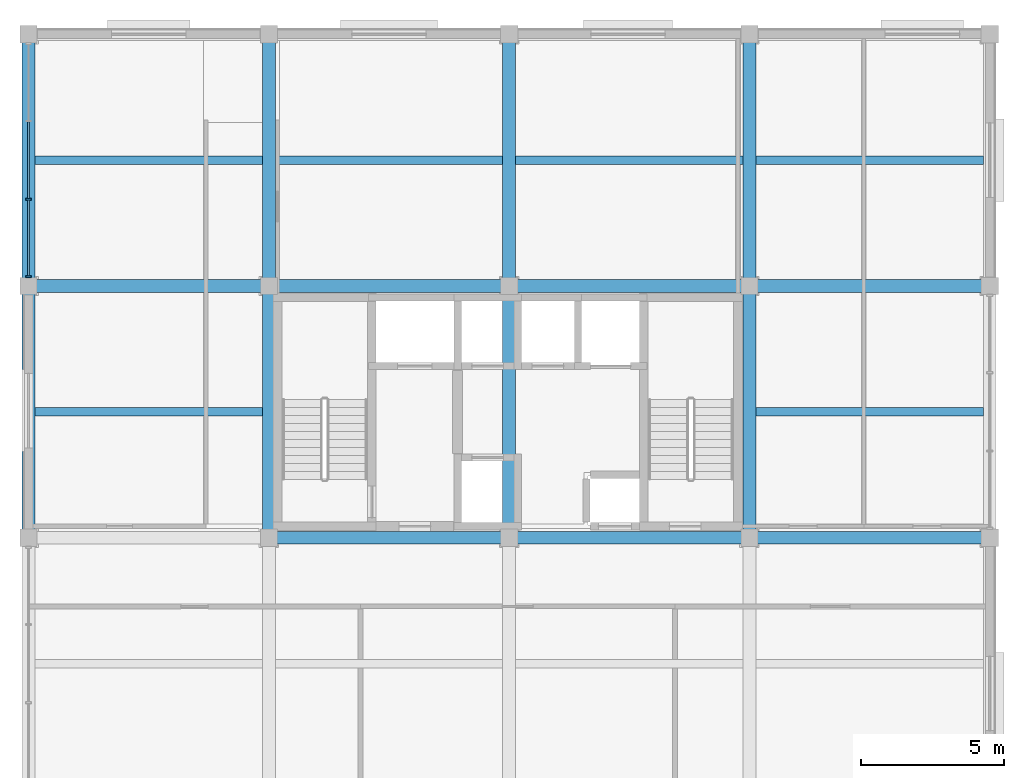
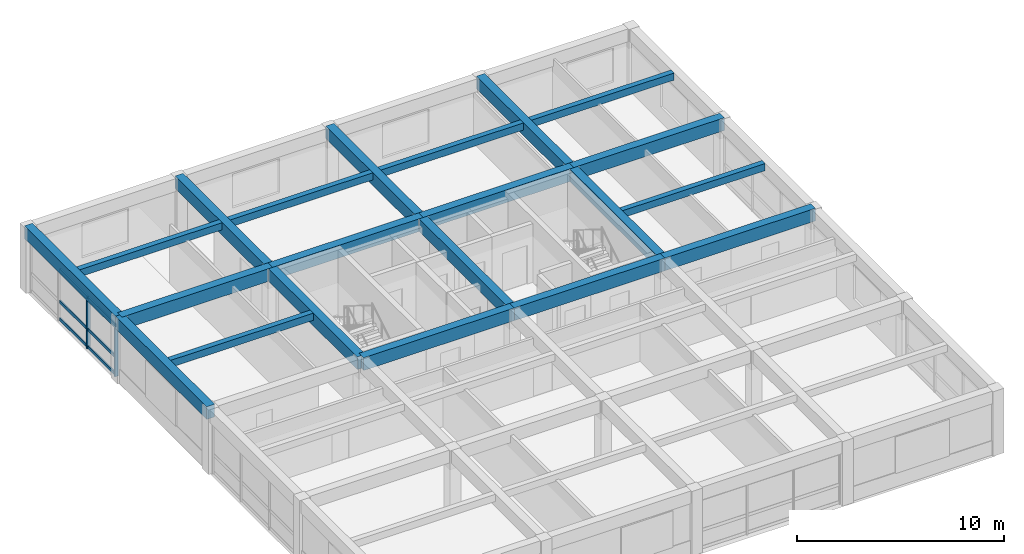
# One storey, part 3 of 12: 21 beams, 8 members, 1 element without a shape of its own.
"""IFC4 building model written with IfcOpenShell, lengths in metres."""

from ifc_helpers import new_model, si_unit, direction, frame, origin, origin_2d, place, context, subcontext, project, spatial, rectangle, extrude, material, material_profile, profile_set, type_object, element, aggregate, save


model = new_model("IFC4")

# Units and contexts
model_context = context("Model", 3, precision=1e-05, world=origin(), true_north=direction((0.0, 1.0)))
body_context = subcontext(model_context, "Body", "Model", "MODEL_VIEW")
ifc_project = project(units=[si_unit("LENGTHUNIT", "METRE"), si_unit("AREAUNIT", "SQUARE_METRE"), si_unit("VOLUMEUNIT", "CUBIC_METRE"), si_unit("PLANEANGLEUNIT", "RADIAN"), si_unit("MASSUNIT", "GRAM", prefix="KILO")], contexts=[model_context])

# Site, building, storey
site_placement = place(None, origin())
site = spatial("IfcSite", under=ifc_project, at=site_placement, CompositionType="ELEMENT")
building_placement = place(site_placement, origin())
building = spatial("IfcBuilding", under=site, at=building_placement, Name="Kemercrest Conservatory and Botanical Centre", CompositionType="ELEMENT")
storey_placement = place(building_placement, frame((0.0, 0.0, 56.0)))
storey = spatial("IfcBuildingStorey", under=building, at=storey_placement, Name="L14", CompositionType="ELEMENT", Elevation=56.0)

# Beams
ifc_material_1 = material(Name="Concrete C40/50", Category="concrete")
ifc_material_profile_1 = material_profile(ifc_material_1, rectangle(XDim=0.449951171875, YDim=0.75, at=origin_2d()), Name="RC 450x750")
ifc_profile_set_1 = profile_set([ifc_material_profile_1], Name="Concrete C40/50")
beam_type_1 = type_object("IfcBeamType", Name="BM-RC75", PredefinedType="BEAM", material=ifc_profile_set_1)
beam_1_placement = place(storey_placement, frame((150.800048828125, 104.800048828125, 3.425048828125), z_axis=(1.0, 0.0, 0.0), x_axis=(0.0, 1.0, 0.0)))
element("IfcBeam", 1, at=beam_1_placement, inside=storey, type_object=beam_type_1, Name="V4-L15 beam BM-RC75 M/18-19", PredefinedType="BEAM", context=body_context, shape_type="SweptSolid", body=[
    extrude(rectangle(XDim=0.449951171875, YDim=0.75, at=origin_2d()), origin(), (0.0, 0.0, 1.0), 8.39990234375),
])
beam_2_placement = place(storey_placement, frame((159.199951171875, 104.800048828125, 3.425048828125), z_axis=(1.0, 0.0, 0.0), x_axis=(0.0, 1.0, 0.0)))
element("IfcBeam", 2, at=beam_2_placement, inside=storey, type_object=beam_type_1, Name="V4-L15 beam BM-RC75 M/19-20", PredefinedType="BEAM", context=body_context, shape_type="SweptSolid", body=[
    extrude(rectangle(XDim=0.449951171875, YDim=0.75, at=origin_2d()), origin(), (0.0, 0.0, 1.0), 8.400146484375),
])
beam_3_placement = place(storey_placement, frame((167.60009765625, 104.800048828125, 3.425048828125), z_axis=(1.0, 0.0, 0.0), x_axis=(0.0, 1.0, 0.0)))
element("IfcBeam", 3, at=beam_3_placement, inside=storey, type_object=beam_type_1, Name="V4-L15 beam BM-RC75 M/20-21", PredefinedType="BEAM", context=body_context, shape_type="SweptSolid", body=[
    extrude(rectangle(XDim=0.449951171875, YDim=0.75, at=origin_2d()), origin(), (0.0, 0.0, 1.0), 8.39990234375),
])
beam_4_placement = place(storey_placement, frame((142.39990234375, 113.60009765625, 3.425048828125), z_axis=(1.0, 0.0, 0.0), x_axis=(0.0, 1.0, 0.0)))
element("IfcBeam", 4, at=beam_4_placement, inside=storey, type_object=beam_type_1, Name="V4-L15 beam BM-RC75 N/17-18", PredefinedType="BEAM", context=body_context, shape_type="SweptSolid", body=[
    extrude(rectangle(XDim=0.449951171875, YDim=0.75, at=origin_2d()), origin(), (0.0, 0.0, 1.0), 8.400146484375),
])
beam_5_placement = place(storey_placement, frame((150.800048828125, 113.60009765625, 3.425048828125), z_axis=(1.0, 0.0, 0.0), x_axis=(0.0, 1.0, 0.0)))
element("IfcBeam", 5, at=beam_5_placement, inside=storey, type_object=beam_type_1, Name="V4-L15 beam BM-RC75 N/18-19", PredefinedType="BEAM", context=body_context, shape_type="SweptSolid", body=[
    extrude(rectangle(XDim=0.449951171875, YDim=0.75, at=origin_2d()), origin(), (0.0, 0.0, 1.0), 8.39990234375),
])
beam_6_placement = place(storey_placement, frame((159.199951171875, 113.60009765625, 3.425048828125), z_axis=(1.0, 0.0, 0.0), x_axis=(0.0, 1.0, 0.0)))
element("IfcBeam", 6, at=beam_6_placement, inside=storey, type_object=beam_type_1, Name="V4-L15 beam BM-RC75 N/19-20", PredefinedType="BEAM", context=body_context, shape_type="SweptSolid", body=[
    extrude(rectangle(XDim=0.449951171875, YDim=0.75, at=origin_2d()), origin(), (0.0, 0.0, 1.0), 8.400146484375),
])
beam_7_placement = place(storey_placement, frame((167.60009765625, 113.60009765625, 3.425048828125), z_axis=(1.0, 0.0, 0.0), x_axis=(0.0, 1.0, 0.0)))
element("IfcBeam", 7, at=beam_7_placement, inside=storey, type_object=beam_type_1, Name="V4-L15 beam BM-RC75 N/20-21", PredefinedType="BEAM", context=body_context, shape_type="SweptSolid", body=[
    extrude(rectangle(XDim=0.449951171875, YDim=0.75, at=origin_2d()), origin(), (0.0, 0.0, 1.0), 8.39990234375),
])
beam_8_placement = place(storey_placement, frame((150.800048828125, 104.800048828125, 3.425048828125), z_axis=(0.0, 1.0, 0.0), x_axis=(-1.0, 0.0, 0.0)))
element("IfcBeam", 8, at=beam_8_placement, inside=storey, type_object=beam_type_1, Name="V4-L15 beam BM-RC75 18/M-N", PredefinedType="BEAM", context=body_context, shape_type="SweptSolid", body=[
    extrude(rectangle(XDim=0.449951171875, YDim=0.75, at=origin_2d()), origin(), (0.0, 0.0, 1.0), 8.800048828125),
])
beam_9_placement = place(storey_placement, frame((150.800048828125, 113.60009765625, 3.425048828125), z_axis=(0.0, 1.0, 0.0), x_axis=(-1.0, 0.0, 0.0)))
element("IfcBeam", 9, at=beam_9_placement, inside=storey, type_object=beam_type_1, Name="V4-L15 beam BM-RC75 18/N-P", PredefinedType="BEAM", context=body_context, shape_type="SweptSolid", body=[
    extrude(rectangle(XDim=0.449951171875, YDim=0.75, at=origin_2d()), origin(), (0.0, 0.0, 1.0), 8.7998046875),
])
beam_10_placement = place(storey_placement, frame((159.199951171875, 104.800048828125, 3.425048828125), z_axis=(0.0, 1.0, 0.0), x_axis=(-1.0, 0.0, 0.0)))
element("IfcBeam", 10, at=beam_10_placement, inside=storey, type_object=beam_type_1, Name="V4-L15 beam BM-RC75 19/M-N", PredefinedType="BEAM", context=body_context, shape_type="SweptSolid", body=[
    extrude(rectangle(XDim=0.449951171875, YDim=0.75, at=origin_2d()), origin(), (0.0, 0.0, 1.0), 8.800048828125),
])
beam_11_placement = place(storey_placement, frame((159.199951171875, 113.60009765625, 3.425048828125), z_axis=(0.0, 1.0, 0.0), x_axis=(-1.0, 0.0, 0.0)))
element("IfcBeam", 11, at=beam_11_placement, inside=storey, type_object=beam_type_1, Name="V4-L15 beam BM-RC75 19/N-P", PredefinedType="BEAM", context=body_context, shape_type="SweptSolid", body=[
    extrude(rectangle(XDim=0.449951171875, YDim=0.75, at=origin_2d()), origin(), (0.0, 0.0, 1.0), 8.7998046875),
])
beam_12_placement = place(storey_placement, frame((167.60009765625, 104.800048828125, 3.425048828125), z_axis=(0.0, 1.0, 0.0), x_axis=(-1.0, 0.0, 0.0)))
element("IfcBeam", 12, at=beam_12_placement, inside=storey, type_object=beam_type_1, Name="V4-L15 beam BM-RC75 20/M-N", PredefinedType="BEAM", context=body_context, shape_type="SweptSolid", body=[
    extrude(rectangle(XDim=0.449951171875, YDim=0.75, at=origin_2d()), origin(), (0.0, 0.0, 1.0), 8.800048828125),
])
beam_13_placement = place(storey_placement, frame((167.60009765625, 113.60009765625, 3.425048828125), z_axis=(0.0, 1.0, 0.0), x_axis=(-1.0, 0.0, 0.0)))
element("IfcBeam", 13, at=beam_13_placement, inside=storey, type_object=beam_type_1, Name="V4-L15 beam BM-RC75 20/N-P", PredefinedType="BEAM", context=body_context, shape_type="SweptSolid", body=[
    extrude(rectangle(XDim=0.449951171875, YDim=0.75, at=origin_2d()), origin(), (0.0, 0.0, 1.0), 8.7998046875),
])

# Curtain wall, members
ifc_material_2 = material(Name="Thermally broken aluminium and triple low-e glazing", Category="aluminium")
curtain_wall_type = type_object("IfcCurtainWallType", Name="CW-24", PredefinedType="USERDEFINED", material=ifc_material_2)
curtain_wall_placement = place(storey_placement, origin())
curtain_wall = element("IfcCurtainWall", 14, at=curtain_wall_placement, inside=storey, type_object=curtain_wall_type, Name="Unitised curtain wall CW-24 (CW:L14:V4-143)", ObjectType="UNITISED CURTAIN WALL", PredefinedType="USERDEFINED")
ifc_material_3 = material(Name="Thermally broken anodized aluminium 6063-T6", Category="aluminium")
ifc_material_profile_2 = material_profile(ifc_material_3, rectangle(XDim=0.199951171875, YDim=0.06494140625, at=origin_2d()), Name="AL MULLION 65x200")
ifc_profile_set_2 = profile_set([ifc_material_profile_2], Name="Thermally broken anodized aluminium 6063-T6")
member_type_1 = type_object("IfcMemberType", Name="CW-M200", PredefinedType="MULLION", material=ifc_profile_set_2)
member_1_placement = place(storey_placement, frame((142.39990234375, 116.631591796875, 0.0), z_axis=(0.0, 0.0, 1.0), x_axis=(1.0, 0.0, 0.0)))
member_1 = element("IfcMember", 15, at=member_1_placement, type_object=member_type_1, Name="CW-24 mullion 3", PredefinedType="MULLION", context=body_context, shape_type="SweptSolid", body=[
    extrude(rectangle(XDim=0.199951171875, YDim=0.06494140625, at=origin_2d()), origin(), (0.0, 0.0, 1.0), 3.054931640625),
])
member_2_placement = place(storey_placement, frame((142.39990234375, 113.927490234375, 0.0), z_axis=(0.0, 0.0, 1.0), x_axis=(1.0, 0.0, 0.0)))
member_2 = element("IfcMember", 16, at=member_2_placement, type_object=member_type_1, Name="CW-24 mullion 4", PredefinedType="MULLION", context=body_context, shape_type="SweptSolid", body=[
    extrude(rectangle(XDim=0.199951171875, YDim=0.06494140625, at=origin_2d()), origin(), (0.0, 0.0, 1.0), 3.054931640625),
])
ifc_material_profile_3 = material_profile(ifc_material_3, rectangle(XDim=0.074951171875, YDim=0.179931640625, at=origin_2d()), Name="AL TRANSOM 75x180")
ifc_profile_set_3 = profile_set([ifc_material_profile_3], Name="Thermally broken anodized aluminium 6063-T6")
member_type_2 = type_object("IfcMemberType", Name="CW-T180", PredefinedType="USERDEFINED", material=ifc_profile_set_3)
member_3_placement = place(storey_placement, frame((142.39990234375, 119.3359375, 0.090087890625), z_axis=(0.0, -1.0, 0.0), x_axis=(1.0, 0.0, 0.0)))
member_3 = element("IfcMember", 17, at=member_3_placement, type_object=member_type_2, Name="CW-24 transom 2.1", ObjectType="TRANSOM", PredefinedType="USERDEFINED", context=body_context, shape_type="SweptSolid", body=[
    extrude(rectangle(XDim=0.074951171875, YDim=0.179931640625, at=origin_2d()), origin(), (0.0, 0.0, 1.0), 2.671875),
])
member_4_placement = place(storey_placement, frame((142.39990234375, 119.3359375, 1.1201171875), z_axis=(0.0, -1.0, 0.0), x_axis=(1.0, 0.0, 0.0)))
member_4 = element("IfcMember", 18, at=member_4_placement, type_object=member_type_2, Name="CW-24 transom 2.2", ObjectType="TRANSOM", PredefinedType="USERDEFINED", context=body_context, shape_type="SweptSolid", body=[
    extrude(rectangle(XDim=0.074951171875, YDim=0.179931640625, at=origin_2d()), origin(), (0.0, 0.0, 1.0), 2.671875),
])
member_5_placement = place(storey_placement, frame((142.39990234375, 119.3359375, 2.965087890625), z_axis=(0.0, -1.0, 0.0), x_axis=(1.0, 0.0, 0.0)))
member_5 = element("IfcMember", 19, at=member_5_placement, type_object=member_type_2, Name="CW-24 transom 2.3", ObjectType="TRANSOM", PredefinedType="USERDEFINED", context=body_context, shape_type="SweptSolid", body=[
    extrude(rectangle(XDim=0.074951171875, YDim=0.179931640625, at=origin_2d()), origin(), (0.0, 0.0, 1.0), 2.671875),
])
member_6_placement = place(storey_placement, frame((142.39990234375, 116.59912109375, 0.090087890625), z_axis=(0.0, -1.0, 0.0), x_axis=(1.0, 0.0, 0.0)))
member_6 = element("IfcMember", 20, at=member_6_placement, type_object=member_type_2, Name="CW-24 transom 3.1", ObjectType="TRANSOM", PredefinedType="USERDEFINED", context=body_context, shape_type="SweptSolid", body=[
    extrude(rectangle(XDim=0.074951171875, YDim=0.179931640625, at=origin_2d()), origin(), (0.0, 0.0, 1.0), 2.63916015625),
])
member_7_placement = place(storey_placement, frame((142.39990234375, 116.59912109375, 1.1201171875), z_axis=(0.0, -1.0, 0.0), x_axis=(1.0, 0.0, 0.0)))
member_7 = element("IfcMember", 21, at=member_7_placement, type_object=member_type_2, Name="CW-24 transom 3.2", ObjectType="TRANSOM", PredefinedType="USERDEFINED", context=body_context, shape_type="SweptSolid", body=[
    extrude(rectangle(XDim=0.074951171875, YDim=0.179931640625, at=origin_2d()), origin(), (0.0, 0.0, 1.0), 2.63916015625),
])
member_8_placement = place(storey_placement, frame((142.39990234375, 116.59912109375, 2.965087890625), z_axis=(0.0, -1.0, 0.0), x_axis=(1.0, 0.0, 0.0)))
member_8 = element("IfcMember", 22, at=member_8_placement, type_object=member_type_2, Name="CW-24 transom 3.3", ObjectType="TRANSOM", PredefinedType="USERDEFINED", context=body_context, shape_type="SweptSolid", body=[
    extrude(rectangle(XDim=0.074951171875, YDim=0.179931640625, at=origin_2d()), origin(), (0.0, 0.0, 1.0), 2.63916015625),
])
aggregate(curtain_wall, [member_1, member_2, member_3, member_4, member_5, member_6, member_7, member_8])

# Beams
ifc_material_profile_4 = material_profile(ifc_material_1, rectangle(XDim=0.300048828125, YDim=0.419921875, at=origin_2d()), Name="RC 300x420")
ifc_profile_set_4 = profile_set([ifc_material_profile_4], Name="Concrete C40/50")
beam_type_2 = type_object("IfcBeamType", Name="JS-RC42", PredefinedType="JOIST", material=ifc_profile_set_4)
for number, where, z_axis, x_axis, name in (
    (23, (142.625, 109.199951171875, 3.590087890625), (1.0, 0.0, 0.0), (0.0, 1.0, 0.0), "V4-L15 secondary joist JS-RC42"),
    (24, (167.824951171875, 109.199951171875, 3.590087890625), (1.0, 0.0, 0.0), (0.0, 1.0, 0.0), "V4-L15 secondary joist JS-RC42"),
    (25, (142.625, 118.0, 3.590087890625), (1.0, 0.0, 0.0), (0.0, 1.0, 0.0), "V4-L15 secondary joist JS-RC42"),
):
    element("IfcBeam", number, at=place(storey_placement, frame(where, z_axis=z_axis, x_axis=x_axis)), inside=storey, type_object=beam_type_2, Name=name, PredefinedType="JOIST", context=body_context, shape_type="SweptSolid", body=[
        extrude(rectangle(XDim=0.300048828125, YDim=0.419921875, at=origin_2d()), origin(), (0.0, 0.0, 1.0), 7.949951171875),
    ])
beam_14_placement = place(storey_placement, frame((151.02490234375, 118.0, 3.590087890625), z_axis=(1.0, 0.0, 0.0), x_axis=(0.0, 1.0, 0.0)))
element("IfcBeam", 26, at=beam_14_placement, inside=storey, type_object=beam_type_2, Name="V4-L15 secondary joist JS-RC42", PredefinedType="JOIST", context=body_context, shape_type="SweptSolid", body=[
    extrude(rectangle(XDim=0.300048828125, YDim=0.419921875, at=origin_2d()), origin(), (0.0, 0.0, 1.0), 7.9501953125),
])
for number, where, z_axis, x_axis, name in (
    (27, (159.425048828125, 118.0, 3.590087890625), (1.0, 0.0, 0.0), (0.0, 1.0, 0.0), "V4-L15 secondary joist JS-RC42"),
    (28, (167.824951171875, 118.0, 3.590087890625), (1.0, 0.0, 0.0), (0.0, 1.0, 0.0), "V4-L15 secondary joist JS-RC42"),
):
    element("IfcBeam", number, at=place(storey_placement, frame(where, z_axis=z_axis, x_axis=x_axis)), inside=storey, type_object=beam_type_2, Name=name, PredefinedType="JOIST", context=body_context, shape_type="SweptSolid", body=[
        extrude(rectangle(XDim=0.300048828125, YDim=0.419921875, at=origin_2d()), origin(), (0.0, 0.0, 1.0), 7.949951171875),
    ])
ifc_material_profile_5 = material_profile(ifc_material_1, rectangle(XDim=0.449951171875, YDim=0.75, at=origin_2d()), Name="RC 450x750")
ifc_profile_set_5 = profile_set([ifc_material_profile_5], Name="Concrete C40/50")
beam_type_3 = type_object("IfcBeamType", Name="SP-RC75", PredefinedType="SPANDREL", material=ifc_profile_set_5)
beam_15_placement = place(storey_placement, frame((142.39990234375, 104.800048828125, 3.425048828125), z_axis=(0.0, 1.0, 0.0), x_axis=(-1.0, 0.0, 0.0)))
element("IfcBeam", 29, at=beam_15_placement, inside=storey, type_object=beam_type_3, Name="V4-L15 beam SP-RC75 17/M-N", PredefinedType="SPANDREL", context=body_context, shape_type="SweptSolid", body=[
    extrude(rectangle(XDim=0.449951171875, YDim=0.75, at=origin_2d()), origin(), (0.0, 0.0, 1.0), 8.800048828125),
])
beam_16_placement = place(storey_placement, frame((142.39990234375, 113.60009765625, 3.425048828125), z_axis=(0.0, 1.0, 0.0), x_axis=(-1.0, 0.0, 0.0)))
element("IfcBeam", 30, at=beam_16_placement, inside=storey, type_object=beam_type_3, Name="V4-L15 beam SP-RC75 17/N-P", PredefinedType="SPANDREL", context=body_context, shape_type="SweptSolid", body=[
    extrude(rectangle(XDim=0.449951171875, YDim=0.75, at=origin_2d()), origin(), (0.0, 0.0, 1.0), 8.7998046875),
])

save(model, "model.ifc")
